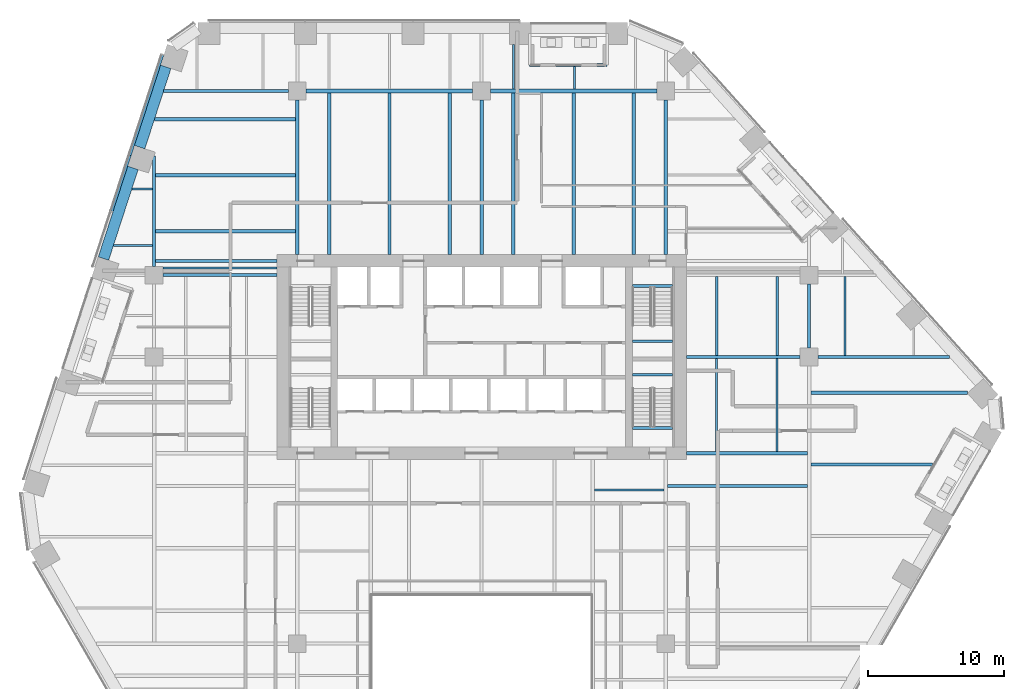
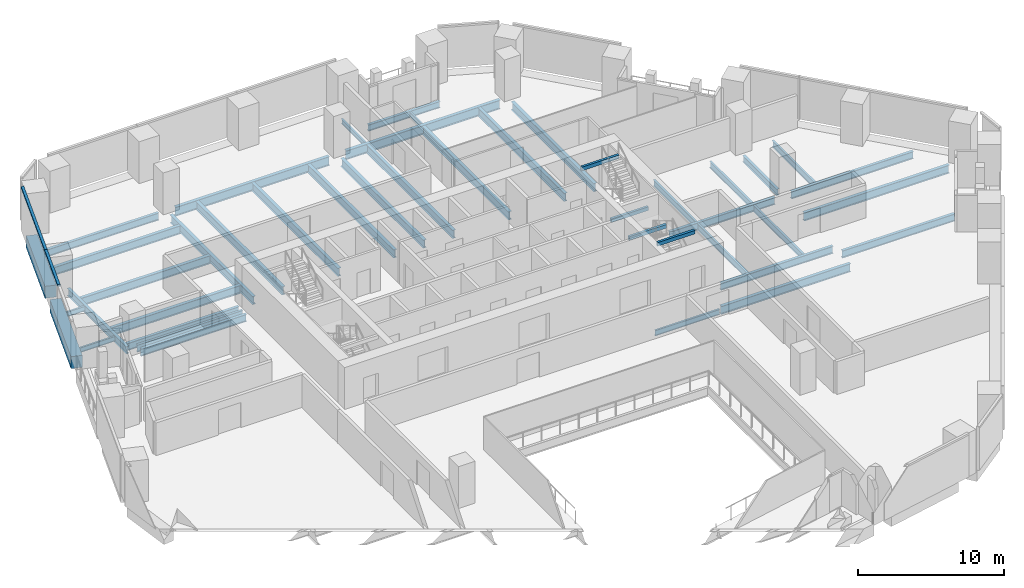
# One storey, part 11 of 28: 43 beams, 2 members, 1 element without a shape of its own.
"""IFC4 building model written with IfcOpenShell, lengths in metres."""

import ifcopenshell
import ifcopenshell.guid

model = None  # the IFC model being written
_history = None  # IfcOwnerHistory: only IFC2X3 demands one
_inside = {}  # id of a spatial element -> (the spatial element, [elements in it])
_under = {}  # id of a project, library or spatial element -> (it, [spatial elements below it])
_declared = {}  # id of a project -> (the project, [libraries it declares])
_typed = {}  # id of a type object -> (the type object, [elements of that type])
_made_of = {}  # id of a material, layer set ... -> (it, [elements and type objects made of it])


def new_model(schema):
    """Start an empty IFC model of exactly this schema.

    Asked for "IFC4X3", IfcOpenShell would pick the latest addendum, in which some entities
    have other attributes; the version numbers below select the first issue.
    IFC2X3 requires an IfcOwnerHistory on every rooted entity: one is made here for all.
    """
    global model, _history
    if schema == "IFC4X3":
        model = ifcopenshell.file(schema_version=(4, 3, 0, 0))
    else:
        model = ifcopenshell.file(schema=schema)
    _inside.clear()
    _under.clear()
    _declared.clear()
    _typed.clear()
    _made_of.clear()
    _history = None
    if model.schema == "IFC2X3":
        org = make("IfcOrganization", Name="unknown")
        user = make(
            "IfcPersonAndOrganization",
            ThePerson=make("IfcPerson", FamilyName="unknown"),
            TheOrganization=org,
        )
        app = make(
            "IfcApplication",
            ApplicationDeveloper=org,
            Version="unknown",
            ApplicationFullName="unknown",
            ApplicationIdentifier="unknown",
        )
        _history = make(
            "IfcOwnerHistory",
            OwningUser=user,
            OwningApplication=app,
            ChangeAction="ADDED",
            CreationDate=0,
        )
    return model


def make(cls, **values):
    """One entity of the class cls with the attributes given. An attribute that is None is left unset."""
    return model.create_entity(
        cls, **{name: value for name, value in values.items() if value is not None}
    )


def rooted(cls, **values):
    """An entity with a GlobalId (a new one), such as an element, a storey or a relation."""
    return make(cls, GlobalId=ifcopenshell.guid.new(), OwnerHistory=_history, **values)


def si_unit(unit_type, name, prefix=None):
    """IfcSIUnit, for example si_unit("LENGTHUNIT", "METRE", prefix="MILLI")."""
    return make("IfcSIUnit", UnitType=unit_type, Prefix=prefix, Name=name)


def assignment(units):
    """IfcUnitAssignment: the units of a project."""
    return None if units is None else make("IfcUnitAssignment", Units=units)


def point(xyz):
    """IfcCartesianPoint."""
    return None if xyz is None else make("IfcCartesianPoint", Coordinates=xyz)


def direction(xyz):
    """IfcDirection."""
    return None if xyz is None else make("IfcDirection", DirectionRatios=xyz)


def frame(location, z_axis=None, x_axis=None):
    """IfcAxis2Placement3D, a coordinate frame: its origin and axes. An axis left out is left unset."""
    return make(
        "IfcAxis2Placement3D",
        Location=point(location),
        Axis=direction(z_axis),
        RefDirection=direction(x_axis),
    )


def frame_2d(location, x_axis=None):
    """IfcAxis2Placement2D, a coordinate frame in the plane: its origin and x axis."""
    return make(
        "IfcAxis2Placement2D", Location=point(location), RefDirection=direction(x_axis)
    )


def origin():
    """The frame at (0, 0, 0) with its axes left unset."""
    return frame((0.0, 0.0, 0.0))


def origin_2d():
    """The frame at (0, 0) in the plane with its x axis left unset."""
    return frame_2d((0.0, 0.0))


def place(relative_to, where):
    """IfcLocalPlacement: puts the frame where relative to a parent placement (None: the world)."""
    return make(
        "IfcLocalPlacement", PlacementRelTo=relative_to, RelativePlacement=where
    )


def context(
    kind, dimensions, precision=None, world=None, true_north=None, identifier=None
):
    """IfcGeometricRepresentationContext, for example the 3D "Model" context."""
    return make(
        "IfcGeometricRepresentationContext",
        ContextIdentifier=identifier,
        ContextType=kind,
        CoordinateSpaceDimension=dimensions,
        Precision=precision,
        WorldCoordinateSystem=world,
        TrueNorth=true_north,
    )


def subcontext(parent, identifier, kind, view, scale=None):
    """IfcGeometricRepresentationSubContext, for example "Body" below "Model"."""
    return make(
        "IfcGeometricRepresentationSubContext",
        ContextIdentifier=identifier,
        ContextType=kind,
        ParentContext=parent,
        TargetScale=scale,
        TargetView=view,
    )


def project(units=None, contexts=None):
    """IfcProject with its units and contexts."""
    return rooted(
        "IfcProject",
        Name="project",
        RepresentationContexts=contexts,
        UnitsInContext=assignment(units),
    )


def spatial(cls, under=None, at=None, **own):
    """A site, building, storey or space (cls), placed at a placement, below another one or the project."""
    s = rooted(cls, ObjectPlacement=at, **own)
    if under is not None:
        _under.setdefault(under.id(), (under, []))[1].append(s)
    return s


def profile(cls, at=None, kind="AREA", **sizes):
    """A parametric profile (cls). Its sizes go by their IFC names, for example OverallWidth=200.0."""
    return make(cls, ProfileType=kind, Position=at, **sizes)


def rectangle(**sizes):
    """IfcRectangleProfileDef."""
    return profile("IfcRectangleProfileDef", **sizes)


def i_section(**sizes):
    """IfcIShapeProfileDef."""
    return profile("IfcIShapeProfileDef", **sizes)


def extrude(swept, where, along, depth):
    """IfcExtrudedAreaSolid: the profile swept, set in the frame where, extruded along a direction by depth."""
    return make(
        "IfcExtrudedAreaSolid",
        SweptArea=swept,
        Position=where,
        ExtrudedDirection=direction(along),
        Depth=depth,
    )


def shape(context_of_items, identifier, shape_type, items):
    """IfcShapeRepresentation: the items that make up one representation, for example the "Body"."""
    return make(
        "IfcShapeRepresentation",
        ContextOfItems=context_of_items,
        RepresentationIdentifier=identifier,
        RepresentationType=shape_type,
        Items=items,
    )


def material(Name=None, Category=None):
    """IfcMaterial."""
    return make("IfcMaterial", Name=Name, Category=Category)


def layer(
    of_material, thickness, ventilated=None, Name=None, Category=None, Priority=None
):
    """IfcMaterialLayer: one layer of a wall or slab, of a material (None: an air gap)."""
    return make(
        "IfcMaterialLayer",
        Material=of_material,
        LayerThickness=thickness,
        IsVentilated=ventilated,
        Name=Name,
        Category=Category,
        Priority=Priority,
    )


def layer_set(layers, Name=None):
    """IfcMaterialLayerSet."""
    return make("IfcMaterialLayerSet", MaterialLayers=layers, LayerSetName=Name)


def material_profile(
    of_material, cross_section, Name=None, Category=None, Priority=None
):
    """IfcMaterialProfile: a cross section and its material."""
    return make(
        "IfcMaterialProfile",
        Name=Name,
        Material=of_material,
        Profile=cross_section,
        Priority=Priority,
        Category=Category,
    )


def profile_set(profiles, Name=None, composite=None):
    """IfcMaterialProfileSet."""
    return make(
        "IfcMaterialProfileSet",
        Name=Name,
        MaterialProfiles=profiles,
        CompositeProfile=composite,
    )


def made_of(thing, what):
    """Note that an element or type object is made of a material, layer set ...; save() writes the relation."""
    if what is not None:
        _made_of.setdefault(what.id(), (what, []))[1].append(thing)
    return thing


def type_object(cls, material=None, **own):
    """A type object (cls), such as IfcWallType, which elements share."""
    return made_of(rooted(cls, **own), material)


def element(
    cls,
    number,
    at=None,
    inside=None,
    cuts=None,
    type_object=None,
    material=None,
    context=None,
    identifier="Body",
    shape_type=None,
    held_by="IfcProductDefinitionShape",
    body=None,
    shapes=None,
    **own,
):
    """One element of the class cls, such as IfcWall. Its Tag is "e" and its number.

    at: its placement. inside: the storey or other place that contains it. cuts: it is an
    opening in that element (IfcRelVoidsElement). A single representation is given by context,
    identifier, shape_type and body (its items); several are given by shapes. held_by: the class
    of the entity that holds the representations. save() writes the other relations.
    """
    e = rooted(cls, Tag="e%d" % number, ObjectPlacement=at, **own)
    if body is not None:
        shapes = [shape(context, identifier, shape_type, body)]
    if shapes is not None:
        e.Representation = make(held_by, Representations=shapes)
    if inside is not None:
        _inside.setdefault(inside.id(), (inside, []))[1].append(e)
    if cuts is not None:
        rooted(
            "IfcRelVoidsElement", RelatingBuildingElement=cuts, RelatedOpeningElement=e
        )
    if type_object is not None:
        _typed.setdefault(type_object.id(), (type_object, []))[1].append(e)
    return made_of(e, material)


def aggregate(whole, parts):
    """IfcRelAggregates: a whole, such as a stair, and the parts it consists of."""
    return rooted("IfcRelAggregates", RelatingObject=whole, RelatedObjects=parts)


def save(model, path):
    """Write the relations noted so far, then the file.

    IfcRelAggregates (storeys below a building ...), IfcRelContainedInSpatialStructure (elements
    in a storey), IfcRelDefinesByType, IfcRelAssociatesMaterial and IfcRelDeclares: one each for
    every whole, place, type object, material and project.
    """
    for whole, parts in _under.values():
        aggregate(whole, parts)
    for where, things in _inside.values():
        rooted(
            "IfcRelContainedInSpatialStructure",
            RelatedElements=things,
            RelatingStructure=where,
        )
    for kind, things in _typed.values():
        rooted("IfcRelDefinesByType", RelatedObjects=things, RelatingType=kind)
    for what, things in _made_of.values():
        rooted("IfcRelAssociatesMaterial", RelatedObjects=things, RelatingMaterial=what)
    for by, libraries in _declared.values():
        rooted("IfcRelDeclares", RelatingContext=by, RelatedDefinitions=libraries)
    model.write(path)


model = new_model("IFC4")

# Units and contexts
model_context = context("Model", 3, precision=1e-05, world=origin(), true_north=direction((0.0, 1.0)))
body_context = subcontext(model_context, "Body", "Model", "MODEL_VIEW")
ifc_project = project(units=[si_unit("LENGTHUNIT", "METRE"), si_unit("AREAUNIT", "SQUARE_METRE"), si_unit("VOLUMEUNIT", "CUBIC_METRE"), si_unit("PLANEANGLEUNIT", "RADIAN"), si_unit("MASSUNIT", "GRAM", prefix="KILO")], contexts=[model_context])

# Site, building, storey
site_placement = place(None, origin())
site = spatial("IfcSite", under=ifc_project, at=site_placement, CompositionType="ELEMENT")
building_placement = place(site_placement, origin())
building = spatial("IfcBuilding", under=site, at=building_placement, Name="Isthmus Gate Tower", CompositionType="ELEMENT")
storey_placement = place(building_placement, frame((0.0, 0.0, 84.300048828125)))
storey = spatial("IfcBuildingStorey", under=building, at=storey_placement, Name="L19", CompositionType="ELEMENT", Elevation=84.300048828125)

# Curtain wall, members
ifc_material_1 = material(Name="Aluminium, pale champagne anodised", Category="aluminium")
ifc_layer = layer(ifc_material_1, 0.199951171875)
ifc_layer_set = layer_set([ifc_layer], Name="CW-1 UNITISED CURTAIN WALL 200 DEEP")
curtain_wall_type = type_object("IfcCurtainWallType", Name="CW-1 UNITISED CURTAIN WALL 200 DEEP", PredefinedType="NOTDEFINED", material=ifc_layer_set)
curtain_wall_placement = place(storey_placement, origin())
curtain_wall = element("IfcCurtainWall", 1, at=curtain_wall_placement, inside=storey, type_object=curtain_wall_type, Name="CW-1 NW L19", PredefinedType="NOTDEFINED")
ifc_material_2 = material(Name="Aluminium, pale champagne anodised", Category="aluminium")
ifc_material_profile_1 = material_profile(ifc_material_2, rectangle(XDim=0.199951171875, YDim=0.14990234375, at=origin_2d()), Name="200x150")
ifc_profile_set_1 = profile_set([ifc_material_profile_1], Name="Aluminium, pale champagne anodised")
member_type = type_object("IfcMemberType", Name="CW-1 TRANSOM 200 X 150", PredefinedType="USERDEFINED", material=ifc_profile_set_1)
member_1_placement = place(storey_placement, frame((-23.389892578125, 29.6279296875, 3.574951171875), z_axis=(-0.309036077329, -0.951050315656, 0.0), x_axis=(0.951050315656, -0.309036077329, 0.0)))
member_1 = element("IfcMember", 2, at=member_1_placement, type_object=member_type, Name="CW-1 transom", ObjectType="TRANSOM", PredefinedType="USERDEFINED", context=body_context, shape_type="SweptSolid", body=[
    extrude(rectangle(XDim=0.199951171875, YDim=0.14990234375, at=origin_2d()), origin(), (0.0, 0.0, 1.0), 7.7294921875),
])
member_2_placement = place(storey_placement, frame((-25.778564453125, 22.27685546875, 3.574951171875), z_axis=(-0.309021801109, -0.951054954479, 0.0), x_axis=(0.951054954479, -0.309021801109, 0.0)))
member_2 = element("IfcMember", 3, at=member_2_placement, type_object=member_type, Name="CW-1 transom", ObjectType="TRANSOM", PredefinedType="USERDEFINED", context=body_context, shape_type="SweptSolid", body=[
    extrude(rectangle(XDim=0.199951171875, YDim=0.14990234375, at=origin_2d()), origin(), (0.0, 0.0, 1.0), 4.294677734375),
])
aggregate(curtain_wall, [member_1, member_2])

# Beams
ifc_material_3 = material(Name="Concrete f'c 70 MPa", Category="concrete")
ifc_material_profile_2 = material_profile(ifc_material_3, rectangle(XDim=0.800048828125, YDim=1.0, at=origin_2d()), Name="RC 800X1000")
ifc_profile_set_2 = profile_set([ifc_material_profile_2], Name="Concrete f'c 70 MPa")
beam_type_1 = type_object("IfcBeamType", Name="RC SPANDREL 800 X 1000", PredefinedType="SPANDREL", material=ifc_profile_set_2)
beam_1_placement = place(storey_placement, frame((-27.7099609375, 14.71435546875, -0.5), z_axis=(0.309029993465, 0.951052292537, 0.0), x_axis=(-0.951052292537, 0.309029993465, 0.0)))
element("IfcBeam", 4, at=beam_1_placement, inside=storey, type_object=beam_type_1, Name="str-spandrel-L19-20", PredefinedType="SPANDREL", context=body_context, shape_type="SweptSolid", body=[
    extrude(rectangle(XDim=0.800048828125, YDim=1.0, at=origin_2d()), origin(), (0.0, 0.0, 1.0), 6.9892578125),
])
beam_2_placement = place(storey_placement, frame((-25.0556640625, 22.88330078125, -0.5), z_axis=(0.309023635203, 0.951054358534, 0.0), x_axis=(-0.951054358534, 0.309023635203, 0.0)))
element("IfcBeam", 5, at=beam_2_placement, inside=storey, type_object=beam_type_1, Name="str-spandrel-L19-21", PredefinedType="SPANDREL", context=body_context, shape_type="SweptSolid", body=[
    extrude(rectangle(XDim=0.800048828125, YDim=1.0, at=origin_2d()), origin(), (0.0, 0.0, 1.0), 6.189208984375),
])
ifc_material_4 = material(Name="Concrete f'c 40 MPa", Category="concrete")
ifc_material_profile_3 = material_profile(ifc_material_4, rectangle(XDim=0.199951171875, YDim=0.300048828125, at=origin_2d()), Name="STAIR LANDING BEAM RC 200 X 300")
ifc_profile_set_3 = profile_set([ifc_material_profile_3], Name="Concrete f'c 40 MPa")
beam_type_2 = type_object("IfcBeamType", Name="STAIR LANDING BEAM RC 200 X 300", PredefinedType="BEAM", material=ifc_profile_set_3)
for number, where, z_axis, x_axis, name in (
    (6, (11.050048828125, 8.64990234375, 1.474853515625), (1.0, 0.0, 0.0), (0.0, 1.0, 0.0), "L19 ST2 landing beam 1"),
    (7, (11.050048828125, 12.7001953125, 3.349853515625), (1.0, 0.0, 0.0), (0.0, 1.0, 0.0), "L19 ST2 floor-edge seat beam"),
    (8, (11.050048828125, 6.199951171875, 1.474853515625), (1.0, 0.0, 0.0), (0.0, 1.0, 0.0), "L19 ST8 landing beam 1"),
    (9, (11.050048828125, 2.2998046875, 3.349853515625), (1.0, 0.0, 0.0), (0.0, 1.0, 0.0), "L19 ST8 floor-edge seat beam"),
):
    element("IfcBeam", number, at=place(storey_placement, frame(where, z_axis=z_axis, x_axis=x_axis)), inside=storey, type_object=beam_type_2, Name=name, PredefinedType="BEAM", context=body_context, shape_type="SweptSolid", body=[
        extrude(rectangle(XDim=0.199951171875, YDim=0.300048828125, at=origin_2d()), origin(), (0.0, 0.0, 1.0), 2.949951171875),
    ])
ifc_material_5 = material(Name="Structural steel ASTM A992 Gr 50", Category="steel")
ifc_material_profile_4 = material_profile(ifc_material_5, i_section(OverallWidth=0.1396484375, OverallDepth=0.4033203125, WebThickness=0.00634765625, FlangeThickness=0.010986328125, at=origin_2d()), Name="W16X31")
ifc_profile_set_4 = profile_set([ifc_material_profile_4], Name="Structural steel ASTM A992 Gr 50")
beam_type_3 = type_object("IfcBeamType", Name="STEEL FLOOR BEAM W16X31", PredefinedType="JOIST", material=ifc_profile_set_4)
beam_3_placement = place(storey_placement, frame((-26.976318359375, 15.677978515625, -0.3515625), z_axis=(1.0, 0.0, 0.0), x_axis=(0.0, 1.0, 0.0)))
element("IfcBeam", 10, at=beam_3_placement, inside=storey, type_object=beam_type_3, Name="str-beam-L19-02-00", PredefinedType="JOIST", context=body_context, shape_type="SweptSolid", body=[
    extrude(i_section(OverallWidth=0.1396484375, OverallDepth=0.4033203125, WebThickness=0.00634765625, FlangeThickness=0.010986328125, at=origin_2d()), origin(), (0.0, 0.0, 1.0), 2.862060546875),
])
beam_4_placement = place(storey_placement, frame((-25.629150390625, 19.82421875, -0.3515625), z_axis=(1.0, 0.0, 0.0), x_axis=(0.0, 1.0, 0.0)))
element("IfcBeam", 11, at=beam_4_placement, inside=storey, type_object=beam_type_3, Name="str-beam-L19-02-01", PredefinedType="JOIST", context=body_context, shape_type="SweptSolid", body=[
    extrude(i_section(OverallWidth=0.1396484375, OverallDepth=0.4033203125, WebThickness=0.00634765625, FlangeThickness=0.010986328125, at=origin_2d()), origin(), (0.0, 0.0, 1.0), 1.514892578125),
])
beam_5_placement = place(storey_placement, frame((2.33740234375, 27.1318359375, -0.3515625), z_axis=(0.0, 1.0, 0.0), x_axis=(-1.0, 0.0, 0.0)))
element("IfcBeam", 12, at=beam_5_placement, inside=storey, type_object=beam_type_3, Name="str-beam-L19-24-00", PredefinedType="JOIST", context=body_context, shape_type="SweptSolid", body=[
    extrude(i_section(OverallWidth=0.1396484375, OverallDepth=0.4033203125, WebThickness=0.00634765625, FlangeThickness=0.010986328125, at=origin_2d()), origin(), (0.0, 0.0, 1.0), 3.26806640625),
])
beam_6_placement = place(storey_placement, frame((6.802490234375, 27.1318359375, -0.3515625), z_axis=(0.0, 1.0, 0.0), x_axis=(-1.0, 0.0, 0.0)))
element("IfcBeam", 13, at=beam_6_placement, inside=storey, type_object=beam_type_3, Name="str-beam-L19-24-01", PredefinedType="JOIST", context=body_context, shape_type="SweptSolid", body=[
    extrude(i_section(OverallWidth=0.1396484375, OverallDepth=0.4033203125, WebThickness=0.00634765625, FlangeThickness=0.010986328125, at=origin_2d()), origin(), (0.0, 0.0, 1.0), 1.65869140625),
])
ifc_material_6 = material(Name="Structural steel ASTM A992 Gr 50", Category="steel")
ifc_material_profile_5 = material_profile(ifc_material_6, i_section(OverallWidth=0.15234375, OverallDepth=0.45068359375, WebThickness=0.0078125, FlangeThickness=0.010986328125, at=origin_2d()), Name="W18X35")
ifc_profile_set_5 = profile_set([ifc_material_profile_5], Name="Structural steel ASTM A992 Gr 50")
beam_type_4 = type_object("IfcBeamType", Name="STEEL FLOOR BEAM W18X35", PredefinedType="JOIST", material=ifc_profile_set_5)
beam_7_placement = place(storey_placement, frame((8.263427734375, -2.232421875, -0.37548828125), z_axis=(1.0, 0.0, 0.0), x_axis=(0.0, 1.0, 0.0)))
element("IfcBeam", 14, at=beam_7_placement, inside=storey, type_object=beam_type_4, Name="str-beam-L19-27-02", PredefinedType="JOIST", context=body_context, shape_type="SweptSolid", body=[
    extrude(i_section(OverallWidth=0.15234375, OverallDepth=0.45068359375, WebThickness=0.0078125, FlangeThickness=0.010986328125, at=origin_2d()), origin(), (0.0, 0.0, 1.0), 5.104736328125),
])
ifc_material_7 = material(Name="Structural steel ASTM A992 Gr 50", Category="steel")
ifc_material_profile_6 = material_profile(ifc_material_7, i_section(OverallWidth=0.1650390625, OverallDepth=0.52392578125, WebThickness=0.009521484375, FlangeThickness=0.010986328125, at=origin_2d()), Name="W21X44")
ifc_profile_set_6 = profile_set([ifc_material_profile_6], Name="Structural steel ASTM A992 Gr 50")
beam_type_5 = type_object("IfcBeamType", Name="STEEL FLOOR BEAM W21X44", PredefinedType="JOIST", material=ifc_profile_set_6)
for number, where, z_axis, x_axis, name in (
    (15, (17.223876953125, 7.6142578125, -0.412109375), (0.0, 1.0, 0.0), (-1.0, 0.0, 0.0), "str-beam-L19-34-00"),
    (16, (21.67138671875, 7.6142578125, -0.412109375), (0.0, 1.0, 0.0), (-1.0, 0.0, 0.0), "str-beam-L19-34-01"),
):
    element("IfcBeam", number, at=place(storey_placement, frame(where, z_axis=z_axis, x_axis=x_axis)), inside=storey, type_object=beam_type_5, Name=name, PredefinedType="JOIST", context=body_context, shape_type="SweptSolid", body=[
        extrude(i_section(OverallWidth=0.1650390625, OverallDepth=0.52392578125, WebThickness=0.009521484375, FlangeThickness=0.010986328125, at=origin_2d()), origin(), (0.0, 0.0, 1.0), 5.771484375),
    ])
for number, where, z_axis, x_axis, name in (
    (17, (17.216552734375, 0.564208984375, -0.412109375), (0.0, 1.0, 0.0), (-1.0, 0.0, 0.0), "str-beam-L19-35-00"),
    (18, (21.64990234375, 0.564208984375, -0.412109375), (0.0, 1.0, 0.0), (-1.0, 0.0, 0.0), "str-beam-L19-35-01"),
):
    element("IfcBeam", number, at=place(storey_placement, frame(where, z_axis=z_axis, x_axis=x_axis)), inside=storey, type_object=beam_type_5, Name=name, PredefinedType="JOIST", context=body_context, shape_type="SweptSolid", body=[
        extrude(i_section(OverallWidth=0.1650390625, OverallDepth=0.52392578125, WebThickness=0.009521484375, FlangeThickness=0.010986328125, at=origin_2d()), origin(), (0.0, 0.0, 1.0), 6.821533203125),
    ])
beam_8_placement = place(storey_placement, frame((26.625244140625, 7.6142578125, -0.412109375), z_axis=(0.0, 1.0, 0.0), x_axis=(-1.0, 0.0, 0.0)))
element("IfcBeam", 19, at=beam_8_placement, inside=storey, type_object=beam_type_5, Name="str-beam-L19-38-00", PredefinedType="JOIST", context=body_context, shape_type="SweptSolid", body=[
    extrude(i_section(OverallWidth=0.1650390625, OverallDepth=0.52392578125, WebThickness=0.009521484375, FlangeThickness=0.010986328125, at=origin_2d()), origin(), (0.0, 0.0, 1.0), 5.781005859375),
])
ifc_material_8 = material(Name="Structural steel ASTM A992 Gr 50", Category="steel")
ifc_material_profile_7 = material_profile(ifc_material_8, i_section(OverallWidth=0.177734375, OverallDepth=0.60009765625, WebThickness=0.009521484375, FlangeThickness=0.0126953125, at=origin_2d()), Name="W24X55")
ifc_profile_set_7 = profile_set([ifc_material_profile_7], Name="Structural steel ASTM A992 Gr 50")
beam_type_6 = type_object("IfcBeamType", Name="STEEL FLOOR BEAM W24X55", PredefinedType="JOIST", material=ifc_profile_set_7)
beam_9_placement = place(storey_placement, frame((-23.35009765625, 14.02490234375, -0.4501953125), z_axis=(1.0, 0.0, 0.0), x_axis=(0.0, 1.0, 0.0)))
element("IfcBeam", 20, at=beam_9_placement, inside=storey, type_object=beam_type_6, Name="str-beam-L19-06-00", PredefinedType="JOIST", context=body_context, shape_type="SweptSolid", body=[
    extrude(i_section(OverallWidth=0.177734375, OverallDepth=0.60009765625, WebThickness=0.009521484375, FlangeThickness=0.0126953125, at=origin_2d()), origin(), (0.0, 0.0, 1.0), 8.35009765625),
])
ifc_material_9 = material(Name="Structural steel ASTM A992 Gr 50", Category="steel")
ifc_material_profile_8 = material_profile(ifc_material_9, i_section(OverallWidth=0.228515625, OverallDepth=0.603271484375, WebThickness=0.010986328125, FlangeThickness=0.014404296875, at=origin_2d()), Name="W24X68")
ifc_profile_set_8 = profile_set([ifc_material_profile_8], Name="Structural steel ASTM A992 Gr 50")
beam_type_7 = type_object("IfcBeamType", Name="STEEL FLOOR BEAM W24X68", PredefinedType="JOIST", material=ifc_profile_set_8)
beam_10_placement = place(storey_placement, frame((24.13330078125, -0.375, -0.45166015625), z_axis=(1.0, 0.0, 0.0), x_axis=(0.0, 1.0, 0.0)))
element("IfcBeam", 21, at=beam_10_placement, inside=storey, type_object=beam_type_7, Name="str-beam-L19-39-02", PredefinedType="JOIST", context=body_context, shape_type="SweptSolid", body=[
    extrude(i_section(OverallWidth=0.228515625, OverallDepth=0.603271484375, WebThickness=0.010986328125, FlangeThickness=0.014404296875, at=origin_2d()), origin(), (0.0, 0.0, 1.0), 8.89453125),
])
ifc_material_10 = material(Name="Structural steel ASTM A992 Gr 50", Category="steel")
ifc_material_profile_9 = material_profile(ifc_material_10, i_section(OverallWidth=0.25390625, OverallDepth=0.679443359375, WebThickness=0.010986328125, FlangeThickness=0.015869140625, at=origin_2d()), Name="W27X84")
ifc_profile_set_9 = profile_set([ifc_material_profile_9], Name="Structural steel ASTM A992 Gr 50")
beam_type_8 = type_object("IfcBeamType", Name="STEEL FLOOR BEAM W27X84", PredefinedType="JOIST", material=ifc_profile_set_9)
for number, where, z_axis, x_axis, name in (
    (22, (-23.8857421875, 16.72021484375, -0.48974609375), (1.0, 0.0, 0.0), (0.0, 1.0, 0.0), "str-beam-L19-08-00"),
    (23, (-23.8857421875, 20.83203125, -0.48974609375), (1.0, 0.0, 0.0), (0.0, 1.0, 0.0), "str-beam-L19-08-01"),
):
    element("IfcBeam", number, at=place(storey_placement, frame(where, z_axis=z_axis, x_axis=x_axis)), inside=storey, type_object=beam_type_8, Name=name, PredefinedType="JOIST", context=body_context, shape_type="SweptSolid", body=[
        extrude(i_section(OverallWidth=0.25390625, OverallDepth=0.679443359375, WebThickness=0.010986328125, FlangeThickness=0.015869140625, at=origin_2d()), origin(), (0.0, 0.0, 1.0), 10.2587890625),
    ])
beam_11_placement = place(storey_placement, frame((-23.965576171875, 24.944091796875, -0.48974609375), z_axis=(1.0, 0.0, 0.0), x_axis=(0.0, 1.0, 0.0)))
element("IfcBeam", 24, at=beam_11_placement, inside=storey, type_object=beam_type_8, Name="str-beam-L19-08-02", PredefinedType="JOIST", context=body_context, shape_type="SweptSolid", body=[
    extrude(i_section(OverallWidth=0.25390625, OverallDepth=0.679443359375, WebThickness=0.010986328125, FlangeThickness=0.015869140625, at=origin_2d()), origin(), (0.0, 0.0, 1.0), 10.338623046875),
])
for number, where, z_axis, x_axis, name in (
    (25, (-11.165283203125, 15.0, -0.48974609375), (0.0, 1.0, 0.0), (-1.0, 0.0, 0.0), "str-beam-L19-16-00"),
    (26, (-6.75, 15.0, -0.48974609375), (0.0, 1.0, 0.0), (-1.0, 0.0, 0.0), "str-beam-L19-16-01"),
    (27, (-2.334716796875, 15.0, -0.48974609375), (0.0, 1.0, 0.0), (-1.0, 0.0, 0.0), "str-beam-L19-16-02"),
    (28, (2.334716796875, 15.0, -0.48974609375), (0.0, 1.0, 0.0), (-1.0, 0.0, 0.0), "str-beam-L19-25-00"),
    (29, (6.75, 15.0, -0.48974609375), (0.0, 1.0, 0.0), (-1.0, 0.0, 0.0), "str-beam-L19-25-01"),
    (30, (11.165283203125, 15.0, -0.48974609375), (0.0, 1.0, 0.0), (-1.0, 0.0, 0.0), "str-beam-L19-25-02"),
):
    element("IfcBeam", number, at=place(storey_placement, frame(where, z_axis=z_axis, x_axis=x_axis)), inside=storey, type_object=beam_type_8, Name=name, PredefinedType="JOIST", context=body_context, shape_type="SweptSolid", body=[
        extrude(i_section(OverallWidth=0.25390625, OverallDepth=0.679443359375, WebThickness=0.010986328125, FlangeThickness=0.015869140625, at=origin_2d()), origin(), (0.0, 0.0, 1.0), 11.8681640625),
    ])
beam_12_placement = place(storey_placement, frame((13.6318359375, -1.947998046875, -0.48974609375), z_axis=(1.0, 0.0, 0.0), x_axis=(0.0, 1.0, 0.0)))
element("IfcBeam", 31, at=beam_12_placement, inside=storey, type_object=beam_type_8, Name="str-beam-L19-31-02", PredefinedType="JOIST", context=body_context, shape_type="SweptSolid", body=[
    extrude(i_section(OverallWidth=0.25390625, OverallDepth=0.679443359375, WebThickness=0.010986328125, FlangeThickness=0.015869140625, at=origin_2d()), origin(), (0.0, 0.0, 1.0), 10.23486328125),
])
beam_13_placement = place(storey_placement, frame((24.13330078125, 4.875, -0.48974609375), z_axis=(1.0, 0.0, 0.0), x_axis=(0.0, 1.0, 0.0)))
element("IfcBeam", 32, at=beam_13_placement, inside=storey, type_object=beam_type_8, Name="str-beam-L19-39-03", PredefinedType="JOIST", context=body_context, shape_type="SweptSolid", body=[
    extrude(i_section(OverallWidth=0.25390625, OverallDepth=0.679443359375, WebThickness=0.010986328125, FlangeThickness=0.015869140625, at=origin_2d()), origin(), (0.0, 0.0, 1.0), 11.484130859375),
])
ifc_material_11 = material(Name="Structural steel ASTM A992 Gr 50", Category="steel")
ifc_material_profile_10 = material_profile(ifc_material_11, i_section(OverallWidth=0.20947265625, OverallDepth=0.533447265625, WebThickness=0.009521484375, FlangeThickness=0.015869140625, at=origin_2d()), Name="W21X62")
ifc_profile_set_10 = profile_set([ifc_material_profile_10], Name="Structural steel ASTM A992 Gr 50")
beam_type_9 = type_object("IfcBeamType", Name="STEEL GIRDER W21X62", PredefinedType="BEAM", material=ifc_profile_set_10)
beam_14_placement = place(storey_placement, frame((24.0, 8.14990234375, -0.416748046875), z_axis=(0.0, 1.0, 0.0), x_axis=(-1.0, 0.0, 0.0)))
element("IfcBeam", 33, at=beam_14_placement, inside=storey, type_object=beam_type_9, Name="str-girder-L19-37", PredefinedType="BEAM", context=body_context, shape_type="SweptSolid", body=[
    extrude(i_section(OverallWidth=0.20947265625, OverallDepth=0.533447265625, WebThickness=0.009521484375, FlangeThickness=0.015869140625, at=origin_2d()), origin(), (0.0, 0.0, 1.0), 4.7001953125),
])
ifc_material_12 = material(Name="Structural steel ASTM A992 Gr 50", Category="steel")
ifc_material_profile_11 = material_profile(ifc_material_12, i_section(OverallWidth=0.228515625, OverallDepth=0.6064453125, WebThickness=0.010986328125, FlangeThickness=0.017578125, at=origin_2d()), Name="W24X76")
ifc_profile_set_11 = profile_set([ifc_material_profile_11], Name="Structural steel ASTM A992 Gr 50")
beam_type_10 = type_object("IfcBeamType", Name="STEEL GIRDER W24X76", PredefinedType="BEAM", material=ifc_profile_set_11)
beam_15_placement = place(storey_placement, frame((15.0, 7.5, -0.453369140625), z_axis=(1.0, 0.0, 0.0), x_axis=(0.0, 1.0, 0.0)))
element("IfcBeam", 34, at=beam_15_placement, inside=storey, type_object=beam_type_10, Name="str-girder-L19-11", PredefinedType="BEAM", context=body_context, shape_type="SweptSolid", body=[
    extrude(i_section(OverallWidth=0.228515625, OverallDepth=0.6064453125, WebThickness=0.010986328125, FlangeThickness=0.017578125, at=origin_2d()), origin(), (0.0, 0.0, 1.0), 8.35009765625),
])
beam_16_placement = place(storey_placement, frame((24.64990234375, 7.5, -0.453369140625), z_axis=(1.0, 0.0, 0.0), x_axis=(0.0, 1.0, 0.0)))
element("IfcBeam", 35, at=beam_16_placement, inside=storey, type_object=beam_type_10, Name="str-girder-L19-12", PredefinedType="BEAM", context=body_context, shape_type="SweptSolid", body=[
    extrude(i_section(OverallWidth=0.228515625, OverallDepth=0.6064453125, WebThickness=0.010986328125, FlangeThickness=0.017578125, at=origin_2d()), origin(), (0.0, 0.0, 1.0), 9.639892578125),
])
beam_17_placement = place(storey_placement, frame((-23.35009765625, 13.5, -0.453369140625), z_axis=(1.0, 0.0, 0.0), x_axis=(0.0, 1.0, 0.0)))
element("IfcBeam", 36, at=beam_17_placement, inside=storey, type_object=beam_type_10, Name="str-girder-L19-14", PredefinedType="BEAM", context=body_context, shape_type="SweptSolid", body=[
    extrude(i_section(OverallWidth=0.228515625, OverallDepth=0.6064453125, WebThickness=0.010986328125, FlangeThickness=0.017578125, at=origin_2d()), origin(), (0.0, 0.0, 1.0), 8.35009765625),
])
beam_18_placement = place(storey_placement, frame((-23.297607421875, 27.0, -0.453369140625), z_axis=(1.0, 0.0, 0.0), x_axis=(0.0, 1.0, 0.0)))
element("IfcBeam", 37, at=beam_18_placement, inside=storey, type_object=beam_type_10, Name="str-girder-L19-17", PredefinedType="BEAM", context=body_context, shape_type="SweptSolid", body=[
    extrude(i_section(OverallWidth=0.228515625, OverallDepth=0.6064453125, WebThickness=0.010986328125, FlangeThickness=0.017578125, at=origin_2d()), origin(), (0.0, 0.0, 1.0), 9.147705078125),
])
beam_19_placement = place(storey_placement, frame((-24.0, 14.14990234375, -0.453369140625), z_axis=(0.0, 1.0, 0.0), x_axis=(-1.0, 0.0, 0.0)))
element("IfcBeam", 38, at=beam_19_placement, inside=storey, type_object=beam_type_10, Name="str-girder-L19-23", PredefinedType="BEAM", context=body_context, shape_type="SweptSolid", body=[
    extrude(i_section(OverallWidth=0.228515625, OverallDepth=0.6064453125, WebThickness=0.010986328125, FlangeThickness=0.017578125, at=origin_2d()), origin(), (0.0, 0.0, 1.0), 8.099365234375),
])
beam_20_placement = place(storey_placement, frame((15.0, 0.449951171875, -0.453369140625), z_axis=(1.0, 0.0, 0.0), x_axis=(0.0, 1.0, 0.0)))
element("IfcBeam", 39, at=beam_20_placement, inside=storey, type_object=beam_type_10, Name="str-girder-L19-40", PredefinedType="BEAM", context=body_context, shape_type="SweptSolid", body=[
    extrude(i_section(OverallWidth=0.228515625, OverallDepth=0.6064453125, WebThickness=0.010986328125, FlangeThickness=0.017578125, at=origin_2d()), origin(), (0.0, 0.0, 1.0), 8.86669921875),
])
beam_21_placement = place(storey_placement, frame((-15.0, 14.550048828125, -0.453369140625), z_axis=(-1.0, 0.0, 0.0), x_axis=(0.0, -1.0, 0.0)))
element("IfcBeam", 40, at=beam_21_placement, inside=storey, type_object=beam_type_10, Name="str-girder-L19-41", PredefinedType="BEAM", context=body_context, shape_type="SweptSolid", body=[
    extrude(i_section(OverallWidth=0.228515625, OverallDepth=0.6064453125, WebThickness=0.010986328125, FlangeThickness=0.017578125, at=origin_2d()), origin(), (0.0, 0.0, 1.0), 8.8857421875),
])
ifc_material_13 = material(Name="Structural steel ASTM A992 Gr 50", Category="steel")
ifc_material_profile_12 = material_profile(ifc_material_13, i_section(OverallWidth=0.25390625, OverallDepth=0.679443359375, WebThickness=0.010986328125, FlangeThickness=0.015869140625, at=origin_2d()), Name="W27X84")
ifc_profile_set_12 = profile_set([ifc_material_profile_12], Name="Structural steel ASTM A992 Gr 50")
beam_type_11 = type_object("IfcBeamType", Name="STEEL GIRDER W27X84", PredefinedType="BEAM", material=ifc_profile_set_12)
for number, where, z_axis, x_axis, name in (
    (41, (-13.5, 15.0, -0.48974609375), (0.0, 1.0, 0.0), (-1.0, 0.0, 0.0), "str-girder-L19-27"),
    (42, (0.0, 15.0, -0.48974609375), (0.0, 1.0, 0.0), (-1.0, 0.0, 0.0), "str-girder-L19-30"),
    (43, (13.5, 15.0, -0.48974609375), (0.0, 1.0, 0.0), (-1.0, 0.0, 0.0), "str-girder-L19-34"),
):
    element("IfcBeam", number, at=place(storey_placement, frame(where, z_axis=z_axis, x_axis=x_axis)), inside=storey, type_object=beam_type_11, Name=name, PredefinedType="BEAM", context=body_context, shape_type="SweptSolid", body=[
        extrude(i_section(OverallWidth=0.25390625, OverallDepth=0.679443359375, WebThickness=0.010986328125, FlangeThickness=0.015869140625, at=origin_2d()), origin(), (0.0, 0.0, 1.0), 11.35009765625),
    ])
ifc_material_14 = material(Name="Structural steel ASTM A992 Gr 50", Category="steel")
ifc_material_profile_13 = material_profile(ifc_material_14, i_section(OverallWidth=0.263427734375, OverallDepth=0.749267578125, WebThickness=0.0126953125, FlangeThickness=0.015869140625, at=origin_2d()), Name="W30X90")
ifc_profile_set_13 = profile_set([ifc_material_profile_13], Name="Structural steel ASTM A992 Gr 50")
beam_type_12 = type_object("IfcBeamType", Name="STEEL GIRDER W30X90", PredefinedType="BEAM", material=ifc_profile_set_13)
for number, where, z_axis, x_axis, name in (
    (44, (-12.85009765625, 27.0, -0.524658203125), (1.0, 0.0, 0.0), (0.0, 1.0, 0.0), "str-girder-L19-18"),
    (45, (0.64990234375, 27.0, -0.524658203125), (1.0, 0.0, 0.0), (0.0, 1.0, 0.0), "str-girder-L19-19"),
):
    element("IfcBeam", number, at=place(storey_placement, frame(where, z_axis=z_axis, x_axis=x_axis)), inside=storey, type_object=beam_type_12, Name=name, PredefinedType="BEAM", context=body_context, shape_type="SweptSolid", body=[
        extrude(i_section(OverallWidth=0.263427734375, OverallDepth=0.749267578125, WebThickness=0.0126953125, FlangeThickness=0.015869140625, at=origin_2d()), origin(), (0.0, 0.0, 1.0), 12.2001953125),
    ])
ifc_material_15 = material(Name="Structural steel ASTM A992 Gr 50", Category="steel")
ifc_material_profile_14 = material_profile(ifc_material_15, i_section(OverallWidth=0.20947265625, OverallDepth=0.533447265625, WebThickness=0.009521484375, FlangeThickness=0.015869140625, at=origin_2d()), Name="W21X62")
ifc_profile_set_14 = profile_set([ifc_material_profile_14], Name="Structural steel ASTM A992 Gr 50")
beam_type_13 = type_object("IfcBeamType", Name="STEEL TRIMMER W21X62", PredefinedType="BEAM", material=ifc_profile_set_14)
beam_22_placement = place(storey_placement, frame((9.20654296875, 28.895263671875, -0.416748046875), z_axis=(-1.0, 0.0, 0.0), x_axis=(0.0, -1.0, 0.0)))
element("IfcBeam", 46, at=beam_22_placement, inside=storey, type_object=beam_type_13, Name="str-loggiatrim-L19-01-B", PredefinedType="BEAM", context=body_context, shape_type="SweptSolid", body=[
    extrude(i_section(OverallWidth=0.20947265625, OverallDepth=0.533447265625, WebThickness=0.009521484375, FlangeThickness=0.015869140625, at=origin_2d()), origin(), (0.0, 0.0, 1.0), 5.678955078125),
])

save(model, "model.ifc")
